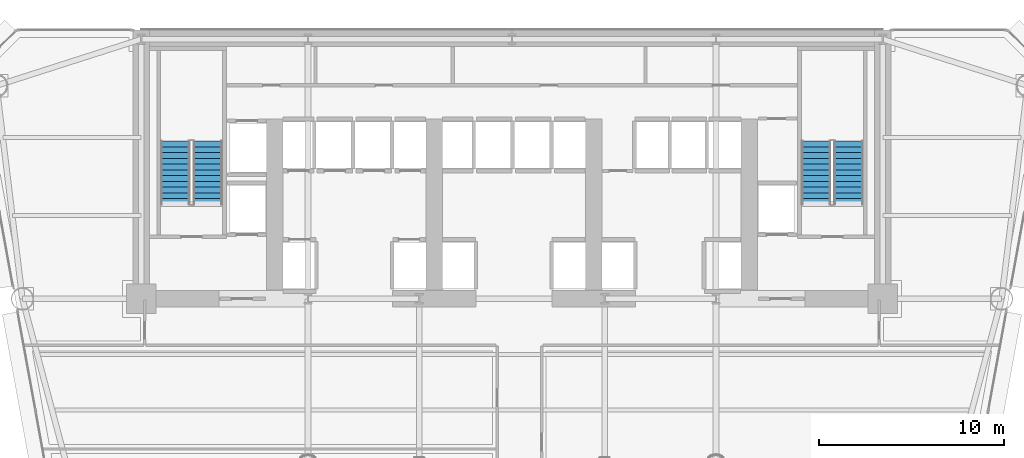
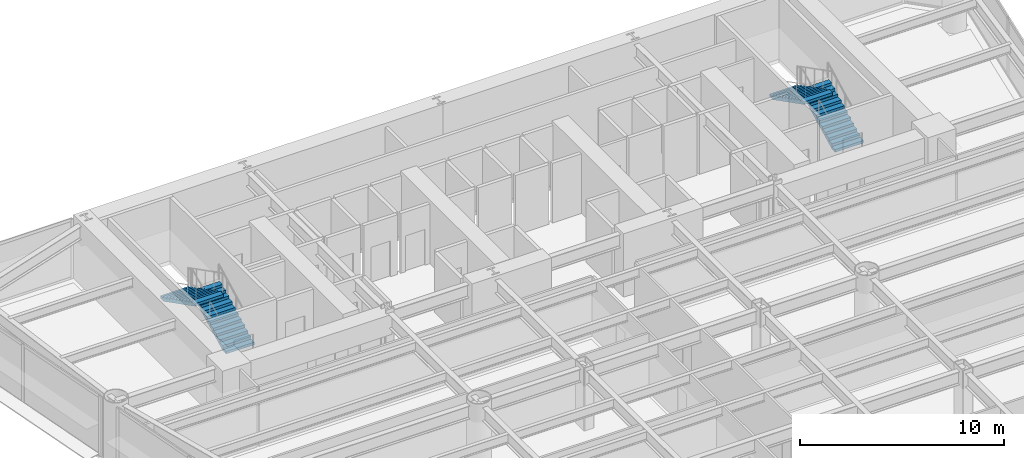
# One storey, part 10 of 14: 4 stair flights, 2 elements without a shape of their own.
"""IFC4 building model written with IfcOpenShell, lengths in metres."""

from ifc_helpers import new_model, si_unit, direction, frame, origin, place, context, subcontext, project, spatial, polyline, outline, extrude, material, type_object, element, aggregate, save


model = new_model("IFC4")

# Units and contexts
model_context = context("Model", 3, precision=1e-05, world=origin(), true_north=direction((0.0, 1.0)))
body_context = subcontext(model_context, "Body", "Model", "MODEL_VIEW")
ifc_project = project(units=[si_unit("LENGTHUNIT", "METRE"), si_unit("AREAUNIT", "SQUARE_METRE"), si_unit("VOLUMEUNIT", "CUBIC_METRE"), si_unit("PLANEANGLEUNIT", "RADIAN"), si_unit("MASSUNIT", "GRAM", prefix="KILO")], contexts=[model_context])

# Site, building, storey
site_placement = place(None, origin())
site = spatial("IfcSite", under=ifc_project, at=site_placement, CompositionType="ELEMENT")
building_placement = place(site_placement, origin())
building = spatial("IfcBuilding", under=site, at=building_placement, Name="Vaeldorn Concourse Tower", CompositionType="ELEMENT")
storey_placement = place(building_placement, frame((0.0, 0.0, 37.800048828125)))
storey = spatial("IfcBuildingStorey", under=building, at=storey_placement, Name="L09", CompositionType="ELEMENT", Elevation=37.800048828125)

# Stair, stair flights
ifc_material = material(Name="Precast concrete C40/50", Category="concrete")
stair_type = type_object("IfcStairType", Name="STR-DOG-24x158", PredefinedType="HALF_TURN_STAIR", material=ifc_material)
stair_1_placement = place(storey_placement, origin())
stair_1 = element("IfcStair", 1, at=stair_1_placement, inside=storey, type_object=stair_type, Name="L09 West Core Exit Stair ST-1", PredefinedType="HALF_TURN_STAIR")
stair_flight_type = type_object("IfcStairFlightType", Name="STF-STR-12x158", PredefinedType="STRAIGHT", material=ifc_material)
stair_flight_1_placement = place(storey_placement, frame((17.60009765625, 41.60009765625, 0.0), z_axis=(0.0, 0.0, 1.0), x_axis=(0.0, 1.0, 0.0)))
stair_flight_1 = element("IfcStairFlight", 2, at=stair_flight_1_placement, type_object=stair_flight_type, Name="ST-1 flight 1", NumberOfRisers=12, NumberOfTreads=11, PredefinedType="STRAIGHT", RiserHeight=0.158333333, TreadLength=0.31, context=body_context, shape_type="SweptSolid", body=[
    extrude(outline(polyline([(0.0, 0.0), (0.0, 0.158447265625), (0.31005859375, 0.158447265625), (0.31005859375, 0.316650390625), (0.6201171875, 0.316650390625), (0.6201171875, 0.47509765625), (0.929931640625, 0.47509765625), (0.929931640625, 0.63330078125), (1.239990234375, 0.63330078125), (1.239990234375, 0.791748046875), (1.550048828125, 0.791748046875), (1.550048828125, 0.949951171875), (1.860107421875, 0.949951171875), (1.860107421875, 1.1083984375), (2.169921875, 1.1083984375), (2.169921875, 1.2666015625), (2.47998046875, 1.2666015625), (2.47998046875, 1.425048828125), (2.7900390625, 1.425048828125), (2.7900390625, 1.583251953125), (3.10009765625, 1.583251953125), (3.10009765625, 1.74169921875), (3.409912109375, 1.74169921875), (3.409912109375, 1.89990234375), (3.409912109375, 1.5732421875), (0.32958984375, 0.0), (0.0, 0.0)])), frame((0.0, 0.800048828125, 0.0), z_axis=(0.0, -1.0, 0.0), x_axis=(1.0, 0.0, 0.0)), (0.0, 0.0, 1.0), 1.60009765625),
])
stair_flight_2_placement = place(storey_placement, frame((15.85009765625, 45.010009765625, 1.89990234375), z_axis=(0.0, 0.0, 1.0), x_axis=(0.0, -1.0, 0.0)))
stair_flight_2 = element("IfcStairFlight", 3, at=stair_flight_2_placement, type_object=stair_flight_type, Name="ST-1 flight 2", NumberOfRisers=12, NumberOfTreads=11, PredefinedType="STRAIGHT", RiserHeight=0.158333333, TreadLength=0.31, context=body_context, shape_type="SweptSolid", body=[
    extrude(outline(polyline([(0.0, 0.0), (0.0, 0.158447265625), (0.31005859375, 0.158447265625), (0.31005859375, 0.316650390625), (0.6201171875, 0.316650390625), (0.6201171875, 0.47509765625), (0.929931640625, 0.47509765625), (0.929931640625, 0.63330078125), (1.239990234375, 0.63330078125), (1.239990234375, 0.791748046875), (1.550048828125, 0.791748046875), (1.550048828125, 0.949951171875), (1.860107421875, 0.949951171875), (1.860107421875, 1.1083984375), (2.169921875, 1.1083984375), (2.169921875, 1.2666015625), (2.47998046875, 1.2666015625), (2.47998046875, 1.425048828125), (2.7900390625, 1.425048828125), (2.7900390625, 1.583251953125), (3.10009765625, 1.583251953125), (3.10009765625, 1.74169921875), (3.409912109375, 1.74169921875), (3.409912109375, 1.89990234375), (3.409912109375, 1.5732421875), (0.32958984375, 0.0), (0.0, 0.0)])), frame((0.0, 0.800048828125, 0.0), z_axis=(0.0, -1.0, 0.0), x_axis=(1.0, 0.0, 0.0)), (0.0, 0.0, 1.0), 1.60009765625),
])
aggregate(stair_1, [stair_flight_1, stair_flight_2])

stair_2_placement = place(storey_placement, origin())
stair_2 = element("IfcStair", 4, at=stair_2_placement, inside=storey, type_object=stair_type, Name="L09 East Core Exit Stair ST-2", PredefinedType="HALF_TURN_STAIR")
stair_flight_3_placement = place(storey_placement, frame((52.14990234375, 41.60009765625, 0.0), z_axis=(0.0, 0.0, 1.0), x_axis=(0.0, 1.0, 0.0)))
stair_flight_3 = element("IfcStairFlight", 5, at=stair_flight_3_placement, type_object=stair_flight_type, Name="ST-2 flight 1", NumberOfRisers=12, NumberOfTreads=11, PredefinedType="STRAIGHT", RiserHeight=0.158333333, TreadLength=0.31, context=body_context, shape_type="SweptSolid", body=[
    extrude(outline(polyline([(0.0, 0.0), (0.0, 0.158447265625), (0.31005859375, 0.158447265625), (0.31005859375, 0.316650390625), (0.6201171875, 0.316650390625), (0.6201171875, 0.47509765625), (0.929931640625, 0.47509765625), (0.929931640625, 0.63330078125), (1.239990234375, 0.63330078125), (1.239990234375, 0.791748046875), (1.550048828125, 0.791748046875), (1.550048828125, 0.949951171875), (1.860107421875, 0.949951171875), (1.860107421875, 1.1083984375), (2.169921875, 1.1083984375), (2.169921875, 1.2666015625), (2.47998046875, 1.2666015625), (2.47998046875, 1.425048828125), (2.7900390625, 1.425048828125), (2.7900390625, 1.583251953125), (3.10009765625, 1.583251953125), (3.10009765625, 1.74169921875), (3.409912109375, 1.74169921875), (3.409912109375, 1.89990234375), (3.409912109375, 1.5732421875), (0.32958984375, 0.0), (0.0, 0.0)])), frame((0.0, 0.800048828125, 0.0), z_axis=(0.0, -1.0, 0.0), x_axis=(1.0, 0.0, 0.0)), (0.0, 0.0, 1.0), 1.60009765625),
])
stair_flight_4_placement = place(storey_placement, frame((50.39990234375, 45.010009765625, 1.89990234375), z_axis=(0.0, 0.0, 1.0), x_axis=(0.0, -1.0, 0.0)))
stair_flight_4 = element("IfcStairFlight", 6, at=stair_flight_4_placement, type_object=stair_flight_type, Name="ST-2 flight 2", NumberOfRisers=12, NumberOfTreads=11, PredefinedType="STRAIGHT", RiserHeight=0.158333333, TreadLength=0.31, context=body_context, shape_type="SweptSolid", body=[
    extrude(outline(polyline([(0.0, 0.0), (0.0, 0.158447265625), (0.31005859375, 0.158447265625), (0.31005859375, 0.316650390625), (0.6201171875, 0.316650390625), (0.6201171875, 0.47509765625), (0.929931640625, 0.47509765625), (0.929931640625, 0.63330078125), (1.239990234375, 0.63330078125), (1.239990234375, 0.791748046875), (1.550048828125, 0.791748046875), (1.550048828125, 0.949951171875), (1.860107421875, 0.949951171875), (1.860107421875, 1.1083984375), (2.169921875, 1.1083984375), (2.169921875, 1.2666015625), (2.47998046875, 1.2666015625), (2.47998046875, 1.425048828125), (2.7900390625, 1.425048828125), (2.7900390625, 1.583251953125), (3.10009765625, 1.583251953125), (3.10009765625, 1.74169921875), (3.409912109375, 1.74169921875), (3.409912109375, 1.89990234375), (3.409912109375, 1.5732421875), (0.32958984375, 0.0), (0.0, 0.0)])), frame((0.0, 0.800048828125, 0.0), z_axis=(0.0, -1.0, 0.0), x_axis=(1.0, 0.0, 0.0)), (0.0, 0.0, 1.0), 1.60009765625),
])
aggregate(stair_2, [stair_flight_3, stair_flight_4])

save(model, "model.ifc")
